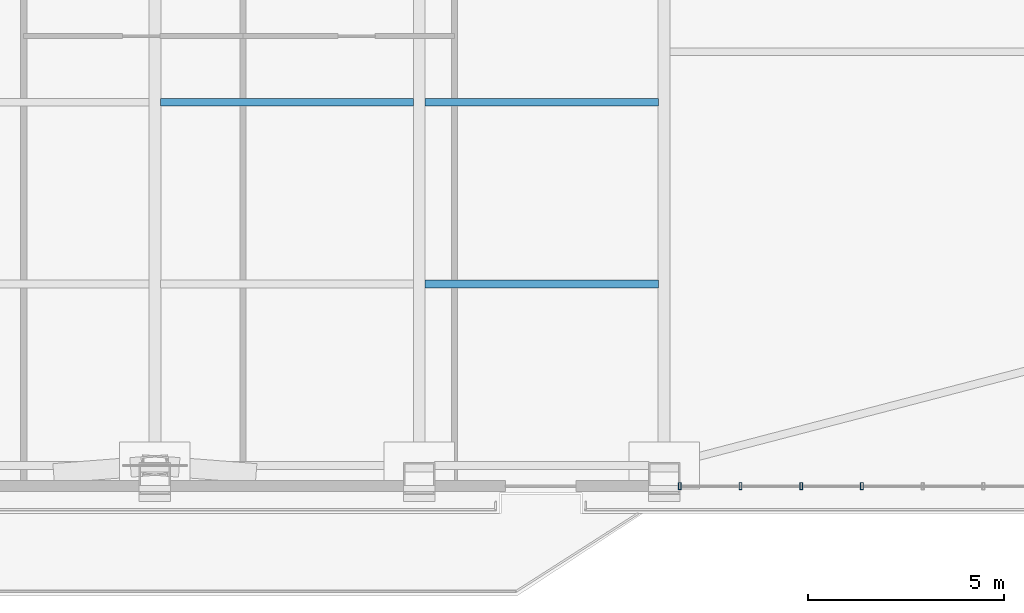
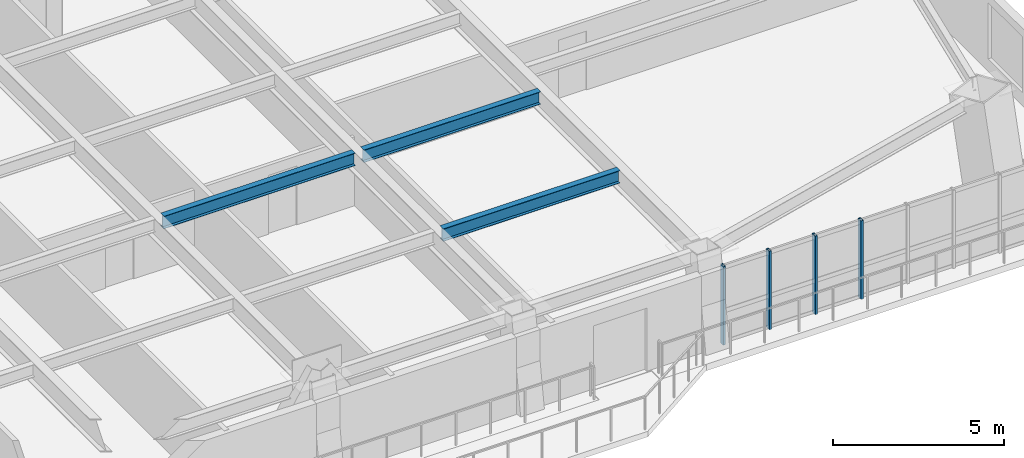
# One storey, part 4 of 16: 4 members, 3 beams, 1 element without a shape of its own.
"""IFC4 building model written with IfcOpenShell, lengths in metres."""

from ifc_helpers import new_model, si_unit, direction, frame, origin, origin_2d, place, context, subcontext, project, spatial, hollow_rectangle, i_section, extrude, source, transform, mapped, material, layer, layer_set, material_profile, profile_set, type_object, element, aggregate, save


model = new_model("IFC4")

# Units and contexts
model_context = context("Model", 3, precision=1e-05, world=origin(), true_north=direction((0.0, 1.0)))
body_context = subcontext(model_context, "Body", "Model", "MODEL_VIEW")
ifc_project = project(units=[si_unit("LENGTHUNIT", "METRE"), si_unit("AREAUNIT", "SQUARE_METRE"), si_unit("VOLUMEUNIT", "CUBIC_METRE"), si_unit("PLANEANGLEUNIT", "RADIAN"), si_unit("MASSUNIT", "GRAM", prefix="KILO")], contexts=[model_context])

# Site, building, storey
site_placement = place(None, origin())
site = spatial("IfcSite", under=ifc_project, at=site_placement, CompositionType="ELEMENT")
building_placement = place(site_placement, origin())
building = spatial("IfcBuilding", under=site, at=building_placement, Name="Giltprow Tower", CompositionType="ELEMENT")
storey_placement = place(building_placement, frame((0.0, 0.0, 166.699951171875)))
storey = spatial("IfcBuildingStorey", under=building, at=storey_placement, Name="L41", CompositionType="ELEMENT", Elevation=166.699951171875)

# Beams
ifc_material_1 = material(Name="Structural steel Q355B", Category="steel")
ifc_material_profile_1 = material_profile(ifc_material_1, i_section(OverallWidth=0.199951171875, OverallDepth=0.449951171875, WebThickness=0.009033203125, FlangeThickness=0.013916015625, at=origin_2d()), Name="HN 450x200x9x14")
ifc_profile_set_1 = profile_set([ifc_material_profile_1], Name="Structural steel Q355B")
beam_type = type_object("IfcBeamType", Name="BM-JOIST-HN450", PredefinedType="JOIST", material=ifc_profile_set_1)
shared_shape_1 = source(origin(), body_context, "Body", "SweptSolid", [
    extrude(i_section(OverallWidth=0.199951171875, OverallDepth=0.449951171875, WebThickness=0.009033203125, FlangeThickness=0.013916015625, at=origin_2d()), origin(), (0.0, 0.0, 1.0), 6.4599609375),
])
beam_placement = place(storey_placement, frame((37.695068359375, 18.90087890625, 3.045166015625), z_axis=(1.0, 0.0, 0.0), x_axis=(0.0, 1.0, 0.0)))
element("IfcBeam", 1, at=beam_placement, inside=storey, type_object=beam_type, Name="L41 Composite Floor Joist 2-3", PredefinedType="JOIST", context=body_context, shape_type="MappedRepresentation", body=[
    mapped(shared_shape_1, transform((0.0, 0.0, 0.0), x_axis=(1.0, 0.0, 0.0), y_axis=(0.0, 1.0, 0.0), z_axis=(0.0, 0.0, 1.0), scale=1.0)),
])
shared_shape_2 = source(origin(), body_context, "Body", "SweptSolid", [
    extrude(i_section(OverallWidth=0.199951171875, OverallDepth=0.449951171875, WebThickness=0.009033203125, FlangeThickness=0.013916015625, at=origin_2d()), origin(), (0.0, 0.0, 1.0), 5.9599609375),
])
for number, where, z_axis, x_axis, name in (
    (2, (44.445068359375, 14.262939453125, 3.045166015625), (1.0, 0.0, 0.0), (0.0, 1.0, 0.0), "L41 Composite Floor Joist 1-4"),
    (3, (44.445068359375, 18.90087890625, 3.045166015625), (1.0, 0.0, 0.0), (0.0, 1.0, 0.0), "L41 Composite Floor Joist 2-4"),
):
    element("IfcBeam", number, at=place(storey_placement, frame(where, z_axis=z_axis, x_axis=x_axis)), inside=storey, type_object=beam_type, Name=name, PredefinedType="JOIST", context=body_context, shape_type="MappedRepresentation", body=[
        mapped(shared_shape_2, transform((0.0, 0.0, 0.0), x_axis=(1.0, 0.0, 0.0), y_axis=(0.0, 1.0, 0.0), z_axis=(0.0, 0.0, 1.0), scale=1.0)),
    ])

# Curtain wall, members
ifc_material_2 = material(Name="Anodized bronze", Category="metal")
ifc_layer = layer(ifc_material_2, 0.179931640625, Name="Anodized bronze")
ifc_layer_set = layer_set([ifc_layer], Name="Anodized bronze")
curtain_wall_type = type_object("IfcCurtainWallType", Name="CW-HTL-BRONZE", PredefinedType="NOTDEFINED", material=ifc_layer_set)
curtain_wall_placement = place(storey_placement, origin())
curtain_wall = element("IfcCurtainWall", 4, at=curtain_wall_placement, inside=storey, type_object=curtain_wall_type, Name="L41 South Recessed Curtain Wall 6", PredefinedType="NOTDEFINED")
ifc_material_profile_2 = material_profile(ifc_material_2, hollow_rectangle(XDim=0.074951171875, YDim=0.179931640625, WallThickness=0.008056640625, at=origin_2d()), Name="RHS 180x75x8")
ifc_profile_set_2 = profile_set([ifc_material_profile_2], Name="Anodized bronze")
member_type = type_object("IfcMemberType", Name="CW-MULLION-180x75", PredefinedType="MULLION", material=ifc_profile_set_2)
shared_shape_3 = source(origin(), body_context, "Body", "SweptSolid", [
    extrude(hollow_rectangle(XDim=0.074951171875, YDim=0.179931640625, WallThickness=0.008056640625, at=origin_2d()), origin(), (0.0, 0.0, 1.0), 2.80517578125),
])
member_1_placement = place(storey_placement, frame((50.949951171875, 9.097900390625, -0.02001953125), z_axis=(0.0, 0.0, 1.0), x_axis=(1.0, 0.0, 0.0)))
member_1 = element("IfcMember", 5, at=member_1_placement, type_object=member_type, Name="L41 South Recessed Curtain Wall 6 Mullion 1", PredefinedType="MULLION", context=body_context, shape_type="MappedRepresentation", body=[
    mapped(shared_shape_3, transform((0.0, 0.0, 0.0), x_axis=(1.0, 0.0, 0.0), y_axis=(0.0, 1.0, 0.0), z_axis=(0.0, 0.0, 1.0), scale=1.0)),
])
member_2_placement = place(storey_placement, frame((52.5, 9.097900390625, -0.02001953125), z_axis=(0.0, 0.0, 1.0), x_axis=(1.0, 0.0, 0.0)))
member_2 = element("IfcMember", 6, at=member_2_placement, type_object=member_type, Name="L41 South Recessed Curtain Wall 6 Mullion 2", PredefinedType="MULLION", context=body_context, shape_type="MappedRepresentation", body=[
    mapped(shared_shape_3, transform((0.0, 0.0, 0.0), x_axis=(1.0, 0.0, 0.0), y_axis=(0.0, 1.0, 0.0), z_axis=(0.0, 0.0, 1.0), scale=1.0)),
])
member_3_placement = place(storey_placement, frame((54.051025390625, 9.097900390625, -0.02001953125), z_axis=(0.0, 0.0, 1.0), x_axis=(1.0, 0.0, 0.0)))
member_3 = element("IfcMember", 7, at=member_3_placement, type_object=member_type, Name="L41 South Recessed Curtain Wall 6 Mullion 3", PredefinedType="MULLION", context=body_context, shape_type="MappedRepresentation", body=[
    mapped(shared_shape_3, transform((0.0, 0.0, 0.0), x_axis=(1.0, 0.0, 0.0), y_axis=(0.0, 1.0, 0.0), z_axis=(0.0, 0.0, 1.0), scale=1.0)),
])
member_4_placement = place(storey_placement, frame((55.60107421875, 9.097900390625, -0.02001953125), z_axis=(0.0, 0.0, 1.0), x_axis=(1.0, 0.0, 0.0)))
member_4 = element("IfcMember", 8, at=member_4_placement, type_object=member_type, Name="L41 South Recessed Curtain Wall 6 Mullion 4", PredefinedType="MULLION", context=body_context, shape_type="MappedRepresentation", body=[
    mapped(shared_shape_3, transform((0.0, 0.0, 0.0), x_axis=(1.0, 0.0, 0.0), y_axis=(0.0, 1.0, 0.0), z_axis=(0.0, 0.0, 1.0), scale=1.0)),
])
aggregate(curtain_wall, [member_1, member_2, member_3, member_4])

save(model, "model.ifc")
